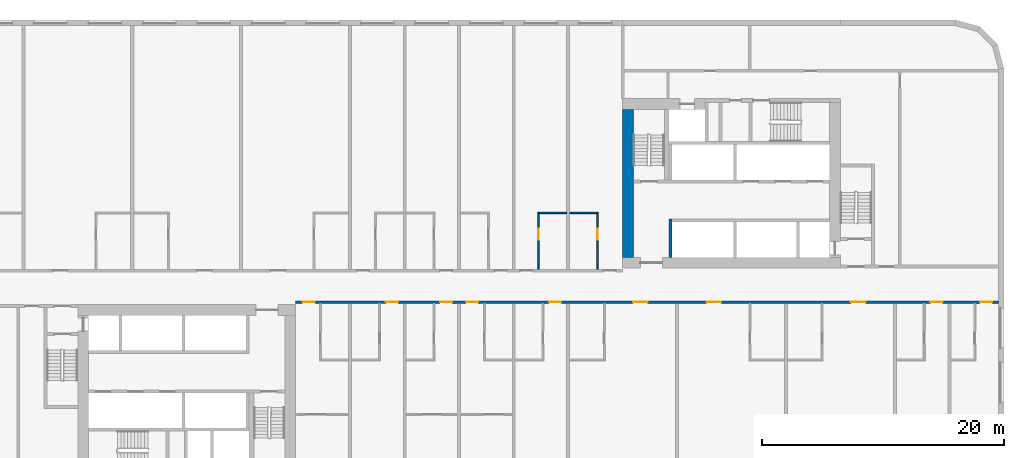
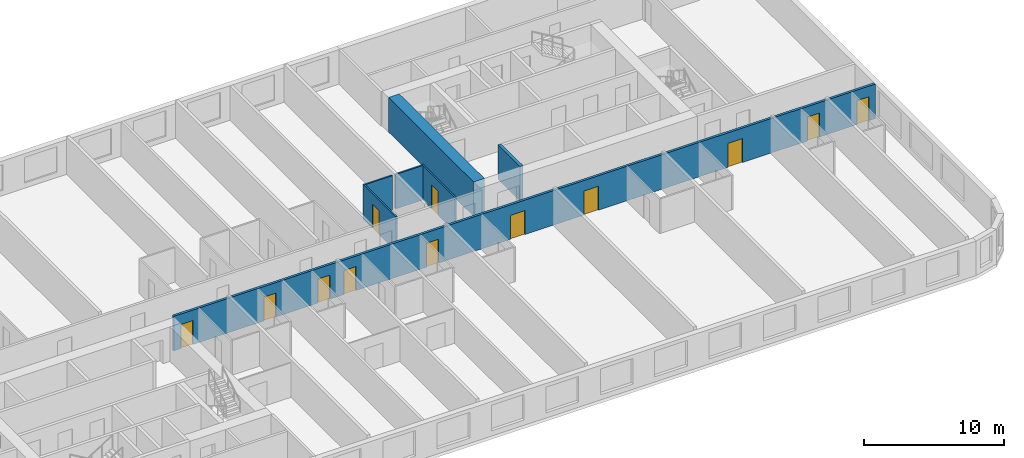
# One storey, part 5 of 12: 12 doors, 7 walls, 12 openings.
"""IFC4 building model written with IfcOpenShell, lengths in metres."""

from ifc_helpers import new_model, si_unit, direction, frame, frame_2d, origin, place, context, subcontext, project, spatial, rectangle, extrude, material, layer, layer_set, type_object, element, fill, save


model = new_model("IFC4")

# Units and contexts
model_context = context("Model", 3, precision=1e-05, world=origin(), true_north=direction((0.0, 1.0)))
body_context = subcontext(model_context, "Body", "Model", "MODEL_VIEW")
ifc_project = project(units=[si_unit("LENGTHUNIT", "METRE"), si_unit("AREAUNIT", "SQUARE_METRE"), si_unit("VOLUMEUNIT", "CUBIC_METRE"), si_unit("PLANEANGLEUNIT", "RADIAN"), si_unit("MASSUNIT", "GRAM", prefix="KILO")], contexts=[model_context])

# Site, building, storey
site_placement = place(None, origin())
site = spatial("IfcSite", under=ifc_project, at=site_placement, CompositionType="ELEMENT")
building_placement = place(site_placement, origin())
building = spatial("IfcBuilding", under=site, at=building_placement, Name="Kajstack Hotel Tower", CompositionType="ELEMENT")
storey_placement = place(building_placement, frame((0.0, 0.0, 93.0)))
storey = spatial("IfcBuildingStorey", under=building, at=storey_placement, Name="L19", CompositionType="ELEMENT", Elevation=93.0)

# Wall
ifc_material_1 = material(Name="Concrete C60/75", Category="concrete")
ifc_layer_1 = layer(ifc_material_1, 0.89990234375)
ifc_layer_set_1 = layer_set([ifc_layer_1], Name="Core wall 900")
wall_type_1 = type_object("IfcWallType", Name="Core wall 900", PredefinedType="SHEAR", material=ifc_layer_set_1)
wall_1_placement = place(storey_placement, frame((13.949951171875, 2.39990234375, 0.0), z_axis=(0.0, 0.0, 1.0), x_axis=(0.0, 1.0, 0.0)))
element("IfcWall", 1, at=wall_1_placement, inside=storey, type_object=wall_type_1, Name="Core wall E RE", PredefinedType="SHEAR", context=body_context, shape_type="SweptSolid", body=[
    extrude(rectangle(XDim=12.2001953125, YDim=0.89990234375, at=frame_2d((6.10009765625, 0.0))), origin(), (0.0, 0.0, 1.0), 3.02001953125),
])

# Wall, openings, doors
ifc_material_2 = material(Name="Gypsum board on steel studs, mineral wool", Category="steel")
ifc_layer_2 = layer(ifc_material_2, 0.199951171875)
ifc_layer_set_2 = layer_set([ifc_layer_2], Name="Corridor wall 200")
wall_type_2 = type_object("IfcWallType", Name="Corridor wall 200", PredefinedType="PARTITIONING", material=ifc_layer_set_2)
wall_2_placement = place(storey_placement, frame((-13.5, -1.300048828125, 0.0), z_axis=(0.0, 0.0, 1.0), x_axis=(1.0, 0.0, 0.0)))
wall_2 = element("IfcWall", 2, at=wall_2_placement, inside=storey, type_object=wall_type_2, Name="G-wall-L19-026", PredefinedType="PARTITIONING", context=body_context, shape_type="SweptSolid", body=[
    extrude(rectangle(XDim=58.050048828125, YDim=0.199951171875, at=frame_2d((29.02490234375, 0.0))), origin(), (0.0, 0.0, 1.0), 3.02001953125),
])
opening_1_placement = place(wall_2_placement, frame((0.574951171875, 0.0, 0.0)))
opening_1 = element("IfcOpeningElement", 3, at=opening_1_placement, cuts=wall_2, Name="Opening 19021", PredefinedType="OPENING", context=body_context, shape_type="SweptSolid", body=[
    extrude(rectangle(XDim=1.0, YDim=2.10009765625, at=frame_2d((0.5, 1.050048828125))), frame((0.0, 0.10986328125, 0.0), z_axis=(0.0, -1.0, 0.0), x_axis=(1.0, 0.0, 0.0)), (0.0, 0.0, 1.0), 0.219970703125),
])
opening_2_placement = place(wall_2_placement, frame((7.449951171875, 0.0, 0.0)))
opening_2 = element("IfcOpeningElement", 4, at=opening_2_placement, cuts=wall_2, Name="Opening 19024", PredefinedType="OPENING", context=body_context, shape_type="SweptSolid", body=[
    extrude(rectangle(XDim=1.0, YDim=2.10009765625, at=frame_2d((0.5, 1.050048828125))), frame((0.0, 0.10986328125, 0.0), z_axis=(0.0, -1.0, 0.0), x_axis=(1.0, 0.0, 0.0)), (0.0, 0.0, 1.0), 0.219970703125),
])
opening_3_placement = place(wall_2_placement, frame((11.925048828125, 0.0, 0.0)))
opening_3 = element("IfcOpeningElement", 5, at=opening_3_placement, cuts=wall_2, Name="Opening 19026", PredefinedType="OPENING", context=body_context, shape_type="SweptSolid", body=[
    extrude(rectangle(XDim=1.0, YDim=2.10009765625, at=frame_2d((0.5, 1.050048828125))), frame((0.0, 0.10986328125, 0.0), z_axis=(0.0, -1.0, 0.0), x_axis=(1.0, 0.0, 0.0)), (0.0, 0.0, 1.0), 0.219970703125),
])
opening_4_placement = place(wall_2_placement, frame((14.074951171875, 0.0, 0.0)))
opening_4 = element("IfcOpeningElement", 6, at=opening_4_placement, cuts=wall_2, Name="Opening 19029", PredefinedType="OPENING", context=body_context, shape_type="SweptSolid", body=[
    extrude(rectangle(XDim=1.0, YDim=2.10009765625, at=frame_2d((0.5, 1.050048828125))), frame((0.0, 0.10986328125, 0.0), z_axis=(0.0, -1.0, 0.0), x_axis=(1.0, 0.0, 0.0)), (0.0, 0.0, 1.0), 0.219970703125),
])
opening_5_placement = place(wall_2_placement, frame((20.925048828125, 0.0, 0.0)))
opening_5 = element("IfcOpeningElement", 7, at=opening_5_placement, cuts=wall_2, Name="Opening 19032", PredefinedType="OPENING", context=body_context, shape_type="SweptSolid", body=[
    extrude(rectangle(XDim=1.0, YDim=2.10009765625, at=frame_2d((0.5, 1.050048828125))), frame((0.0, 0.10986328125, 0.0), z_axis=(0.0, -1.0, 0.0), x_axis=(1.0, 0.0, 0.0)), (0.0, 0.0, 1.0), 0.219970703125),
])
opening_6_placement = place(wall_2_placement, frame((27.862060546875, 0.0, 0.0)))
opening_6 = element("IfcOpeningElement", 8, at=opening_6_placement, cuts=wall_2, Name="Opening 19034", PredefinedType="OPENING", context=body_context, shape_type="SweptSolid", body=[
    extrude(rectangle(XDim=1.199951171875, YDim=2.10009765625, at=frame_2d((0.60009765625, 1.050048828125))), frame((0.0, 0.10986328125, 0.0), z_axis=(0.0, -1.0, 0.0), x_axis=(1.0, 0.0, 0.0)), (0.0, 0.0, 1.0), 0.219970703125),
])
opening_7_placement = place(wall_2_placement, frame((33.93798828125, 0.0, 0.0)))
opening_7 = element("IfcOpeningElement", 9, at=opening_7_placement, cuts=wall_2, Name="Opening 19036", PredefinedType="OPENING", context=body_context, shape_type="SweptSolid", body=[
    extrude(rectangle(XDim=1.199951171875, YDim=2.10009765625, at=frame_2d((0.60009765625, 1.050048828125))), frame((0.0, 0.10986328125, 0.0), z_axis=(0.0, -1.0, 0.0), x_axis=(1.0, 0.0, 0.0)), (0.0, 0.0, 1.0), 0.219970703125),
])
opening_8_placement = place(wall_2_placement, frame((45.862060546875, 0.0, 0.0)))
opening_8 = element("IfcOpeningElement", 10, at=opening_8_placement, cuts=wall_2, Name="Opening 19038", PredefinedType="OPENING", context=body_context, shape_type="SweptSolid", body=[
    extrude(rectangle(XDim=1.199951171875, YDim=2.10009765625, at=frame_2d((0.60009765625, 1.050048828125))), frame((0.0, 0.10986328125, 0.0), z_axis=(0.0, -1.0, 0.0), x_axis=(1.0, 0.0, 0.0)), (0.0, 0.0, 1.0), 0.219970703125),
])
opening_9_placement = place(wall_2_placement, frame((52.425048828125, 0.0, 0.0)))
opening_9 = element("IfcOpeningElement", 11, at=opening_9_placement, cuts=wall_2, Name="Opening 19040", PredefinedType="OPENING", context=body_context, shape_type="SweptSolid", body=[
    extrude(rectangle(XDim=1.0, YDim=2.10009765625, at=frame_2d((0.5, 1.050048828125))), frame((0.0, 0.10986328125, 0.0), z_axis=(0.0, -1.0, 0.0), x_axis=(1.0, 0.0, 0.0)), (0.0, 0.0, 1.0), 0.219970703125),
])
opening_10_placement = place(wall_2_placement, frame((56.52490234375, 0.0, 0.0)))
opening_10 = element("IfcOpeningElement", 12, at=opening_10_placement, cuts=wall_2, Name="Opening 19042", PredefinedType="OPENING", context=body_context, shape_type="SweptSolid", body=[
    extrude(rectangle(XDim=1.0, YDim=2.10009765625, at=frame_2d((0.5, 1.050048828125))), frame((0.0, 0.10986328125, 0.0), z_axis=(0.0, -1.0, 0.0), x_axis=(1.0, 0.0, 0.0)), (0.0, 0.0, 1.0), 0.219970703125),
])
ifc_material_3 = material(Name="Oak veneer on timber core, fire-rated leaf", Category="wood")
door_type_1 = type_object("IfcDoorType", Name="Flat entrance door 1000", OperationType="SINGLE_SWING_LEFT", PredefinedType="DOOR", material=ifc_material_3)
door_1_placement = place(opening_1_placement, origin())
door_1 = element("IfcDoor", 13, at=door_1_placement, inside=storey, type_object=door_type_1, Name="G-door-L19-21", OperationType="SINGLE_SWING_RIGHT", OverallHeight=2.10009765625, OverallWidth=1.0, PredefinedType="DOOR", context=body_context, shape_type="SweptSolid", body=[
    extrude(rectangle(XDim=1.0, YDim=2.10009765625, at=frame_2d((0.5, 1.050048828125))), frame((0.0, 0.02490234375, 0.0), z_axis=(0.0, -1.0, 0.0), x_axis=(1.0, 0.0, 0.0)), (0.0, 0.0, 1.0), 0.050048828125),
])
fill(opening_1, door_1)
door_2_placement = place(opening_2_placement, origin())
door_2 = element("IfcDoor", 14, at=door_2_placement, inside=storey, type_object=door_type_1, Name="G-door-L19-24", OperationType="SINGLE_SWING_RIGHT", OverallHeight=2.10009765625, OverallWidth=1.0, PredefinedType="DOOR", context=body_context, shape_type="SweptSolid", body=[
    extrude(rectangle(XDim=1.0, YDim=2.10009765625, at=frame_2d((0.5, 1.050048828125))), frame((0.0, 0.02490234375, 0.0), z_axis=(0.0, -1.0, 0.0), x_axis=(1.0, 0.0, 0.0)), (0.0, 0.0, 1.0), 0.050048828125),
])
fill(opening_2, door_2)
door_3_placement = place(opening_3_placement, origin())
door_3 = element("IfcDoor", 15, at=door_3_placement, inside=storey, type_object=door_type_1, Name="G-door-L19-26", OperationType="SINGLE_SWING_LEFT", OverallHeight=2.10009765625, OverallWidth=1.0, PredefinedType="DOOR", context=body_context, shape_type="SweptSolid", body=[
    extrude(rectangle(XDim=1.0, YDim=2.10009765625, at=frame_2d((0.5, 1.050048828125))), frame((0.0, 0.02490234375, 0.0), z_axis=(0.0, -1.0, 0.0), x_axis=(1.0, 0.0, 0.0)), (0.0, 0.0, 1.0), 0.050048828125),
])
fill(opening_3, door_3)
door_4_placement = place(opening_4_placement, origin())
door_4 = element("IfcDoor", 16, at=door_4_placement, inside=storey, type_object=door_type_1, Name="G-door-L19-29", OperationType="SINGLE_SWING_RIGHT", OverallHeight=2.10009765625, OverallWidth=1.0, PredefinedType="DOOR", context=body_context, shape_type="SweptSolid", body=[
    extrude(rectangle(XDim=1.0, YDim=2.10009765625, at=frame_2d((0.5, 1.050048828125))), frame((0.0, 0.02490234375, 0.0), z_axis=(0.0, -1.0, 0.0), x_axis=(1.0, 0.0, 0.0)), (0.0, 0.0, 1.0), 0.050048828125),
])
fill(opening_4, door_4)
door_5_placement = place(opening_5_placement, origin())
door_5 = element("IfcDoor", 17, at=door_5_placement, inside=storey, type_object=door_type_1, Name="G-door-L19-32", OperationType="SINGLE_SWING_LEFT", OverallHeight=2.10009765625, OverallWidth=1.0, PredefinedType="DOOR", context=body_context, shape_type="SweptSolid", body=[
    extrude(rectangle(XDim=1.0, YDim=2.10009765625, at=frame_2d((0.5, 1.050048828125))), frame((0.0, 0.02490234375, 0.0), z_axis=(0.0, -1.0, 0.0), x_axis=(1.0, 0.0, 0.0)), (0.0, 0.0, 1.0), 0.050048828125),
])
fill(opening_5, door_5)
door_6_placement = place(opening_9_placement, origin())
door_6 = element("IfcDoor", 18, at=door_6_placement, inside=storey, type_object=door_type_1, Name="G-door-L19-40", OperationType="SINGLE_SWING_RIGHT", OverallHeight=2.10009765625, OverallWidth=1.0, PredefinedType="DOOR", context=body_context, shape_type="SweptSolid", body=[
    extrude(rectangle(XDim=1.0, YDim=2.10009765625, at=frame_2d((0.5, 1.050048828125))), frame((0.0, 0.02490234375, 0.0), z_axis=(0.0, -1.0, 0.0), x_axis=(1.0, 0.0, 0.0)), (0.0, 0.0, 1.0), 0.050048828125),
])
fill(opening_9, door_6)
door_7_placement = place(opening_10_placement, origin())
door_7 = element("IfcDoor", 19, at=door_7_placement, inside=storey, type_object=door_type_1, Name="G-door-L19-42", OperationType="SINGLE_SWING_LEFT", OverallHeight=2.10009765625, OverallWidth=1.0, PredefinedType="DOOR", context=body_context, shape_type="SweptSolid", body=[
    extrude(rectangle(XDim=1.0, YDim=2.10009765625, at=frame_2d((0.5, 1.050048828125))), frame((0.0, 0.02490234375, 0.0), z_axis=(0.0, -1.0, 0.0), x_axis=(1.0, 0.0, 0.0)), (0.0, 0.0, 1.0), 0.050048828125),
])
fill(opening_10, door_7)
door_type_2 = type_object("IfcDoorType", Name="Flat entrance door 1200", OperationType="SINGLE_SWING_LEFT", PredefinedType="DOOR", material=ifc_material_3)
door_8_placement = place(opening_6_placement, origin())
door_8 = element("IfcDoor", 20, at=door_8_placement, inside=storey, type_object=door_type_2, Name="G-door-L19-34", OperationType="SINGLE_SWING_LEFT", OverallHeight=2.10009765625, OverallWidth=1.199951171875, PredefinedType="DOOR", context=body_context, shape_type="SweptSolid", body=[
    extrude(rectangle(XDim=1.199951171875, YDim=2.10009765625, at=frame_2d((0.60009765625, 1.050048828125))), frame((0.0, 0.02490234375, 0.0), z_axis=(0.0, -1.0, 0.0), x_axis=(1.0, 0.0, 0.0)), (0.0, 0.0, 1.0), 0.050048828125),
])
fill(opening_6, door_8)
door_9_placement = place(opening_7_placement, origin())
door_9 = element("IfcDoor", 21, at=door_9_placement, inside=storey, type_object=door_type_2, Name="G-door-L19-36", OperationType="SINGLE_SWING_RIGHT", OverallHeight=2.10009765625, OverallWidth=1.199951171875, PredefinedType="DOOR", context=body_context, shape_type="SweptSolid", body=[
    extrude(rectangle(XDim=1.199951171875, YDim=2.10009765625, at=frame_2d((0.60009765625, 1.050048828125))), frame((0.0, 0.02490234375, 0.0), z_axis=(0.0, -1.0, 0.0), x_axis=(1.0, 0.0, 0.0)), (0.0, 0.0, 1.0), 0.050048828125),
])
fill(opening_7, door_9)
door_10_placement = place(opening_8_placement, origin())
door_10 = element("IfcDoor", 22, at=door_10_placement, inside=storey, type_object=door_type_2, Name="G-door-L19-38", OperationType="SINGLE_SWING_LEFT", OverallHeight=2.10009765625, OverallWidth=1.199951171875, PredefinedType="DOOR", context=body_context, shape_type="SweptSolid", body=[
    extrude(rectangle(XDim=1.199951171875, YDim=2.10009765625, at=frame_2d((0.60009765625, 1.050048828125))), frame((0.0, 0.02490234375, 0.0), z_axis=(0.0, -1.0, 0.0), x_axis=(1.0, 0.0, 0.0)), (0.0, 0.0, 1.0), 0.050048828125),
])
fill(opening_8, door_10)

# Wall, opening, door
ifc_material_4 = material(Name="Gypsum board and tiled backer on steel studs", Category="steel")
ifc_layer_3 = layer(ifc_material_4, 0.125)
ifc_layer_set_3 = layer_set([ifc_layer_3], Name="En-suite wall 125")
wall_type_3 = type_object("IfcWallType", Name="En-suite wall 125", PredefinedType="PARTITIONING", material=ifc_layer_set_3)
wall_3_placement = place(storey_placement, frame((6.56201171875, 1.39990234375, 0.0), z_axis=(0.0, 0.0, 1.0), x_axis=(0.0, 1.0, 0.0)))
wall_3 = element("IfcWall", 23, at=wall_3_placement, inside=storey, type_object=wall_type_3, Name="G-wall-L19-022", PredefinedType="PARTITIONING", context=body_context, shape_type="SweptSolid", body=[
    extrude(rectangle(XDim=4.72509765625, YDim=0.125, at=frame_2d((2.362548828125, 0.0))), origin(), (0.0, 0.0, 1.0), 3.02001953125),
])
opening_11_placement = place(wall_3_placement, frame((2.449951171875, 0.0, 0.0)))
opening_11 = element("IfcOpeningElement", 24, at=opening_11_placement, cuts=wall_3, Name="Opening 19018", PredefinedType="OPENING", context=body_context, shape_type="SweptSolid", body=[
    extrude(rectangle(XDim=0.89990234375, YDim=2.10009765625, at=frame_2d((0.449951171875, 1.050048828125))), frame((0.0, 0.072509765625, 0.0), z_axis=(0.0, -1.0, 0.0), x_axis=(1.0, 0.0, 0.0)), (0.0, 0.0, 1.0), 0.14501953125),
])
ifc_material_5 = material(Name="Painted timber door leaf", Category="wood")
door_type_3 = type_object("IfcDoorType", Name="Room door 900", OperationType="SINGLE_SWING_LEFT", PredefinedType="DOOR", material=ifc_material_5)
door_11_placement = place(opening_11_placement, origin())
door_11 = element("IfcDoor", 25, at=door_11_placement, inside=storey, type_object=door_type_3, Name="G-door-L19-18", OperationType="SINGLE_SWING_LEFT", OverallHeight=2.10009765625, OverallWidth=0.89990234375, PredefinedType="DOOR", context=body_context, shape_type="SweptSolid", body=[
    extrude(rectangle(XDim=0.89990234375, YDim=2.10009765625, at=frame_2d((0.449951171875, 1.050048828125))), frame((0.0, 0.02490234375, 0.0), z_axis=(0.0, -1.0, 0.0), x_axis=(1.0, 0.0, 0.0)), (0.0, 0.0, 1.0), 0.050048828125),
])
fill(opening_11, door_11)

# Wall
wall_4_placement = place(storey_placement, frame((6.625, 6.06201171875, 0.0), z_axis=(0.0, 0.0, 1.0), x_axis=(1.0, 0.0, 0.0)))
element("IfcWall", 26, at=wall_4_placement, inside=storey, type_object=wall_type_3, Name="G-wall-L19-023", PredefinedType="PARTITIONING", context=body_context, shape_type="SweptSolid", body=[
    extrude(rectangle(XDim=2.25, YDim=0.125, at=frame_2d((1.125, 0.0))), origin(), (0.0, 0.0, 1.0), 3.02001953125),
])

# Wall, opening, door
wall_5_placement = place(storey_placement, frame((11.43798828125, 1.39990234375, 0.0), z_axis=(0.0, 0.0, 1.0), x_axis=(0.0, 1.0, 0.0)))
wall_5 = element("IfcWall", 27, at=wall_5_placement, inside=storey, type_object=wall_type_3, Name="G-wall-L19-024", PredefinedType="PARTITIONING", context=body_context, shape_type="SweptSolid", body=[
    extrude(rectangle(XDim=4.72509765625, YDim=0.125, at=frame_2d((2.362548828125, 0.0))), origin(), (0.0, 0.0, 1.0), 3.02001953125),
])
opening_12_placement = place(wall_5_placement, frame((2.449951171875, 0.0, 0.0)))
opening_12 = element("IfcOpeningElement", 28, at=opening_12_placement, cuts=wall_5, Name="Opening 19020", PredefinedType="OPENING", context=body_context, shape_type="SweptSolid", body=[
    extrude(rectangle(XDim=0.89990234375, YDim=2.10009765625, at=frame_2d((0.449951171875, 1.050048828125))), frame((0.0, 0.072509765625, 0.0), z_axis=(0.0, -1.0, 0.0), x_axis=(1.0, 0.0, 0.0)), (0.0, 0.0, 1.0), 0.14501953125),
])
door_12_placement = place(opening_12_placement, origin())
door_12 = element("IfcDoor", 29, at=door_12_placement, inside=storey, type_object=door_type_3, Name="G-door-L19-20", OperationType="SINGLE_SWING_LEFT", OverallHeight=2.10009765625, OverallWidth=0.89990234375, PredefinedType="DOOR", context=body_context, shape_type="SweptSolid", body=[
    extrude(rectangle(XDim=0.89990234375, YDim=2.10009765625, at=frame_2d((0.449951171875, 1.050048828125))), frame((0.0, 0.02490234375, 0.0), z_axis=(0.0, -1.0, 0.0), x_axis=(1.0, 0.0, 0.0)), (0.0, 0.0, 1.0), 0.050048828125),
])
fill(opening_12, door_12)

# Walls
wall_6_placement = place(storey_placement, frame((9.125, 6.06201171875, 0.0), z_axis=(0.0, 0.0, 1.0), x_axis=(1.0, 0.0, 0.0)))
element("IfcWall", 30, at=wall_6_placement, inside=storey, type_object=wall_type_3, Name="G-wall-L19-025", PredefinedType="PARTITIONING", context=body_context, shape_type="SweptSolid", body=[
    extrude(rectangle(XDim=2.25, YDim=0.125, at=frame_2d((1.125, 0.0))), origin(), (0.0, 0.0, 1.0), 3.02001953125),
])
ifc_material_6 = material(Name="Concrete C50/60", Category="concrete")
ifc_layer_4 = layer(ifc_material_6, 0.25)
ifc_layer_set_4 = layer_set([ifc_layer_4], Name="Shaft wall 250")
wall_type_4 = type_object("IfcWallType", Name="Shaft wall 250", PredefinedType="SHEAR", material=ifc_layer_set_4)
wall_7_placement = place(storey_placement, frame((17.47509765625, 2.39990234375, 0.0), z_axis=(0.0, 0.0, 1.0), x_axis=(0.0, 1.0, 0.0)))
element("IfcWall", 31, at=wall_7_placement, inside=storey, type_object=wall_type_4, Name="Core wall E AE", PredefinedType="SHEAR", context=body_context, shape_type="SweptSolid", body=[
    extrude(rectangle(XDim=3.150146484375, YDim=0.25, at=frame_2d((1.5751953125, 0.0))), origin(), (0.0, 0.0, 1.0), 3.02001953125),
])

save(model, "model.ifc")
